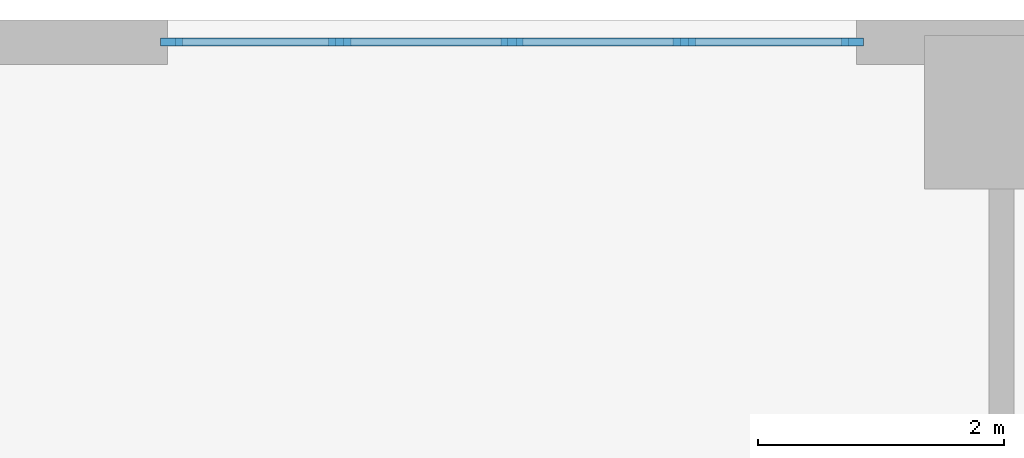
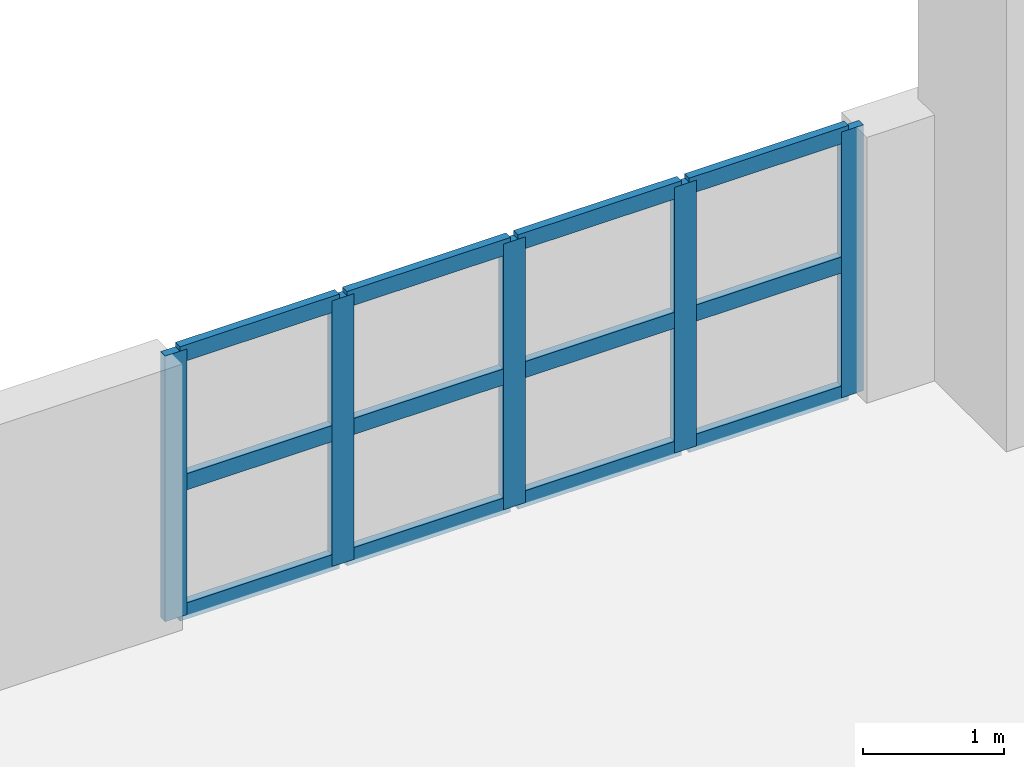
# One storey, part 4 of 13: 17 members, 1 element without a shape of its own.
"""IFC4 building model written with IfcOpenShell, lengths in metres."""

from ifc_helpers import new_model, si_unit, direction, frame, origin, origin_2d, place, context, subcontext, project, spatial, rectangle, extrude, material, material_profile, profile_set, type_object, element, aggregate, save


model = new_model("IFC4")

# Units and contexts
model_context = context("Model", 3, precision=1e-05, world=origin(), true_north=direction((0.0, 1.0)))
body_context = subcontext(model_context, "Body", "Model", "MODEL_VIEW")
ifc_project = project(units=[si_unit("LENGTHUNIT", "METRE"), si_unit("AREAUNIT", "SQUARE_METRE"), si_unit("VOLUMEUNIT", "CUBIC_METRE"), si_unit("PLANEANGLEUNIT", "RADIAN"), si_unit("MASSUNIT", "GRAM", prefix="KILO")], contexts=[model_context])

# Site, building, storey
site_placement = place(None, origin())
site = spatial("IfcSite", under=ifc_project, at=site_placement, CompositionType="ELEMENT")
building_placement = place(site_placement, origin())
building = spatial("IfcBuilding", under=site, at=building_placement, Name="Svetorya Sky Lyceum", CompositionType="ELEMENT")
storey_placement = place(building_placement, frame((0.0, 0.0, 20.10009765625)))
storey = spatial("IfcBuildingStorey", under=building, at=storey_placement, Name="L04", CompositionType="ELEMENT", Elevation=20.10009765625)

# Curtain wall, members
ifc_material_1 = material(Name="Thermally broken anodized aluminium and triple low-E glass", Category="aluminium")
curtain_wall_type = type_object("IfcCurtainWallType", Name="CW2-SCH-RIB", PredefinedType="NOTDEFINED", material=ifc_material_1)
curtain_wall_placement = place(storey_placement, origin())
curtain_wall = element("IfcCurtainWall", 1, at=curtain_wall_placement, inside=storey, type_object=curtain_wall_type, Name="L04 Lyceum Classroom Ribbon Curtain Wall 18", PredefinedType="NOTDEFINED")
ifc_material_2 = material(Name="Thermally broken anodized aluminium EN AW-6060", Category="aluminium")
ifc_material_profile_1 = material_profile(ifc_material_2, rectangle(XDim=0.06494140625, YDim=0.179931640625, at=origin_2d()), Name="ALU MULLION 65x180")
ifc_profile_set_1 = profile_set([ifc_material_profile_1], Name="Thermally broken anodized aluminium EN AW-6060")
member_type_1 = type_object("IfcMemberType", Name="CWM-MUL-180", PredefinedType="MULLION", material=ifc_profile_set_1)
member_1_placement = place(storey_placement, frame((62.137451171875, 56.219970703125, 0.0), z_axis=(0.0, 0.0, 1.0), x_axis=(0.0, -1.0, 0.0)))
member_1 = element("IfcMember", 2, at=member_1_placement, type_object=member_type_1, Name="CW-2 mullion 1", PredefinedType="MULLION", context=body_context, shape_type="SweptSolid", body=[
    extrude(rectangle(XDim=0.06494140625, YDim=0.179931640625, at=origin_2d()), origin(), (0.0, 0.0, 1.0), 2.2998046875),
])
member_2_placement = place(storey_placement, frame((60.77001953125, 56.219970703125, 0.0), z_axis=(0.0, 0.0, 1.0), x_axis=(0.0, -1.0, 0.0)))
member_2 = element("IfcMember", 3, at=member_2_placement, type_object=member_type_1, Name="CW-2 mullion 2", PredefinedType="MULLION", context=body_context, shape_type="SweptSolid", body=[
    extrude(rectangle(XDim=0.06494140625, YDim=0.179931640625, at=origin_2d()), origin(), (0.0, 0.0, 1.0), 2.2998046875),
])
member_3_placement = place(storey_placement, frame((59.3701171875, 56.219970703125, 0.0), z_axis=(0.0, 0.0, 1.0), x_axis=(0.0, -1.0, 0.0)))
member_3 = element("IfcMember", 4, at=member_3_placement, type_object=member_type_1, Name="CW-2 mullion 3", PredefinedType="MULLION", context=body_context, shape_type="SweptSolid", body=[
    extrude(rectangle(XDim=0.06494140625, YDim=0.179931640625, at=origin_2d()), origin(), (0.0, 0.0, 1.0), 2.2998046875),
])
member_4_placement = place(storey_placement, frame((57.969970703125, 56.219970703125, 0.0), z_axis=(0.0, 0.0, 1.0), x_axis=(0.0, -1.0, 0.0)))
member_4 = element("IfcMember", 5, at=member_4_placement, type_object=member_type_1, Name="CW-2 mullion 4", PredefinedType="MULLION", context=body_context, shape_type="SweptSolid", body=[
    extrude(rectangle(XDim=0.06494140625, YDim=0.179931640625, at=origin_2d()), origin(), (0.0, 0.0, 1.0), 2.2998046875),
])
member_5_placement = place(storey_placement, frame((56.6025390625, 56.219970703125, 0.0), z_axis=(0.0, 0.0, 1.0), x_axis=(0.0, -1.0, 0.0)))
member_5 = element("IfcMember", 6, at=member_5_placement, type_object=member_type_1, Name="CW-2 mullion 5", PredefinedType="MULLION", context=body_context, shape_type="SweptSolid", body=[
    extrude(rectangle(XDim=0.06494140625, YDim=0.179931640625, at=origin_2d()), origin(), (0.0, 0.0, 1.0), 2.2998046875),
])
ifc_material_profile_2 = material_profile(ifc_material_2, rectangle(XDim=0.06494140625, YDim=0.139892578125, at=origin_2d()), Name="ALU TRANSOM 65x140")
ifc_profile_set_2 = profile_set([ifc_material_profile_2], Name="Thermally broken anodized aluminium EN AW-6060")
member_type_2 = type_object("IfcMemberType", Name="CWM-TRN-140", PredefinedType="USERDEFINED", material=ifc_profile_set_2)
member_6_placement = place(storey_placement, frame((62.1064453125, 56.219970703125, 0.032470703125), z_axis=(-1.0, 0.0, 0.0), x_axis=(0.0, -1.0, 0.0)))
member_6 = element("IfcMember", 7, at=member_6_placement, type_object=member_type_2, Name="CW-2 transom 1.1", ObjectType="TRANSOM", PredefinedType="USERDEFINED", context=body_context, shape_type="SweptSolid", body=[
    extrude(rectangle(XDim=0.06494140625, YDim=0.139892578125, at=origin_2d()), origin(), (0.0, 0.0, 1.0), 1.305419921875),
])
member_7_placement = place(storey_placement, frame((62.1064453125, 56.219970703125, 1.14990234375), z_axis=(-1.0, 0.0, 0.0), x_axis=(0.0, -1.0, 0.0)))
member_7 = element("IfcMember", 8, at=member_7_placement, type_object=member_type_2, Name="CW-2 transom 1.2", ObjectType="TRANSOM", PredefinedType="USERDEFINED", context=body_context, shape_type="SweptSolid", body=[
    extrude(rectangle(XDim=0.06494140625, YDim=0.139892578125, at=origin_2d()), origin(), (0.0, 0.0, 1.0), 1.305419921875),
])
member_8_placement = place(storey_placement, frame((62.1064453125, 56.219970703125, 2.267333984375), z_axis=(-1.0, 0.0, 0.0), x_axis=(0.0, -1.0, 0.0)))
member_8 = element("IfcMember", 9, at=member_8_placement, type_object=member_type_2, Name="CW-2 transom 1.3", ObjectType="TRANSOM", PredefinedType="USERDEFINED", context=body_context, shape_type="SweptSolid", body=[
    extrude(rectangle(XDim=0.06494140625, YDim=0.139892578125, at=origin_2d()), origin(), (0.0, 0.0, 1.0), 1.305419921875),
])
member_9_placement = place(storey_placement, frame((60.739013671875, 56.219970703125, 0.032470703125), z_axis=(-1.0, 0.0, 0.0), x_axis=(0.0, -1.0, 0.0)))
member_9 = element("IfcMember", 10, at=member_9_placement, type_object=member_type_2, Name="CW-2 transom 2.1", ObjectType="TRANSOM", PredefinedType="USERDEFINED", context=body_context, shape_type="SweptSolid", body=[
    extrude(rectangle(XDim=0.06494140625, YDim=0.139892578125, at=origin_2d()), origin(), (0.0, 0.0, 1.0), 1.338134765625),
])
member_10_placement = place(storey_placement, frame((60.739013671875, 56.219970703125, 1.14990234375), z_axis=(-1.0, 0.0, 0.0), x_axis=(0.0, -1.0, 0.0)))
member_10 = element("IfcMember", 11, at=member_10_placement, type_object=member_type_2, Name="CW-2 transom 2.2", ObjectType="TRANSOM", PredefinedType="USERDEFINED", context=body_context, shape_type="SweptSolid", body=[
    extrude(rectangle(XDim=0.06494140625, YDim=0.139892578125, at=origin_2d()), origin(), (0.0, 0.0, 1.0), 1.338134765625),
])
member_11_placement = place(storey_placement, frame((60.739013671875, 56.219970703125, 2.267333984375), z_axis=(-1.0, 0.0, 0.0), x_axis=(0.0, -1.0, 0.0)))
member_11 = element("IfcMember", 12, at=member_11_placement, type_object=member_type_2, Name="CW-2 transom 2.3", ObjectType="TRANSOM", PredefinedType="USERDEFINED", context=body_context, shape_type="SweptSolid", body=[
    extrude(rectangle(XDim=0.06494140625, YDim=0.139892578125, at=origin_2d()), origin(), (0.0, 0.0, 1.0), 1.338134765625),
])
member_12_placement = place(storey_placement, frame((59.339111328125, 56.219970703125, 0.032470703125), z_axis=(-1.0, 0.0, 0.0), x_axis=(0.0, -1.0, 0.0)))
member_12 = element("IfcMember", 13, at=member_12_placement, type_object=member_type_2, Name="CW-2 transom 3.1", ObjectType="TRANSOM", PredefinedType="USERDEFINED", context=body_context, shape_type="SweptSolid", body=[
    extrude(rectangle(XDim=0.06494140625, YDim=0.139892578125, at=origin_2d()), origin(), (0.0, 0.0, 1.0), 1.338134765625),
])
member_13_placement = place(storey_placement, frame((59.339111328125, 56.219970703125, 1.14990234375), z_axis=(-1.0, 0.0, 0.0), x_axis=(0.0, -1.0, 0.0)))
member_13 = element("IfcMember", 14, at=member_13_placement, type_object=member_type_2, Name="CW-2 transom 3.2", ObjectType="TRANSOM", PredefinedType="USERDEFINED", context=body_context, shape_type="SweptSolid", body=[
    extrude(rectangle(XDim=0.06494140625, YDim=0.139892578125, at=origin_2d()), origin(), (0.0, 0.0, 1.0), 1.338134765625),
])
member_14_placement = place(storey_placement, frame((59.339111328125, 56.219970703125, 2.267333984375), z_axis=(-1.0, 0.0, 0.0), x_axis=(0.0, -1.0, 0.0)))
member_14 = element("IfcMember", 15, at=member_14_placement, type_object=member_type_2, Name="CW-2 transom 3.3", ObjectType="TRANSOM", PredefinedType="USERDEFINED", context=body_context, shape_type="SweptSolid", body=[
    extrude(rectangle(XDim=0.06494140625, YDim=0.139892578125, at=origin_2d()), origin(), (0.0, 0.0, 1.0), 1.338134765625),
])
member_15_placement = place(storey_placement, frame((57.93896484375, 56.219970703125, 0.032470703125), z_axis=(-1.0, 0.0, 0.0), x_axis=(0.0, -1.0, 0.0)))
member_15 = element("IfcMember", 16, at=member_15_placement, type_object=member_type_2, Name="CW-2 transom 4.1", ObjectType="TRANSOM", PredefinedType="USERDEFINED", context=body_context, shape_type="SweptSolid", body=[
    extrude(rectangle(XDim=0.06494140625, YDim=0.139892578125, at=origin_2d()), origin(), (0.0, 0.0, 1.0), 1.305419921875),
])
member_16_placement = place(storey_placement, frame((57.93896484375, 56.219970703125, 1.14990234375), z_axis=(-1.0, 0.0, 0.0), x_axis=(0.0, -1.0, 0.0)))
member_16 = element("IfcMember", 17, at=member_16_placement, type_object=member_type_2, Name="CW-2 transom 4.2", ObjectType="TRANSOM", PredefinedType="USERDEFINED", context=body_context, shape_type="SweptSolid", body=[
    extrude(rectangle(XDim=0.06494140625, YDim=0.139892578125, at=origin_2d()), origin(), (0.0, 0.0, 1.0), 1.305419921875),
])
member_17_placement = place(storey_placement, frame((57.93896484375, 56.219970703125, 2.267333984375), z_axis=(-1.0, 0.0, 0.0), x_axis=(0.0, -1.0, 0.0)))
member_17 = element("IfcMember", 18, at=member_17_placement, type_object=member_type_2, Name="CW-2 transom 4.3", ObjectType="TRANSOM", PredefinedType="USERDEFINED", context=body_context, shape_type="SweptSolid", body=[
    extrude(rectangle(XDim=0.06494140625, YDim=0.139892578125, at=origin_2d()), origin(), (0.0, 0.0, 1.0), 1.305419921875),
])
aggregate(curtain_wall, [member_1, member_2, member_3, member_4, member_5, member_6, member_7, member_8, member_9, member_10, member_11, member_12, member_13, member_14, member_15, member_16, member_17])

save(model, "model.ifc")
